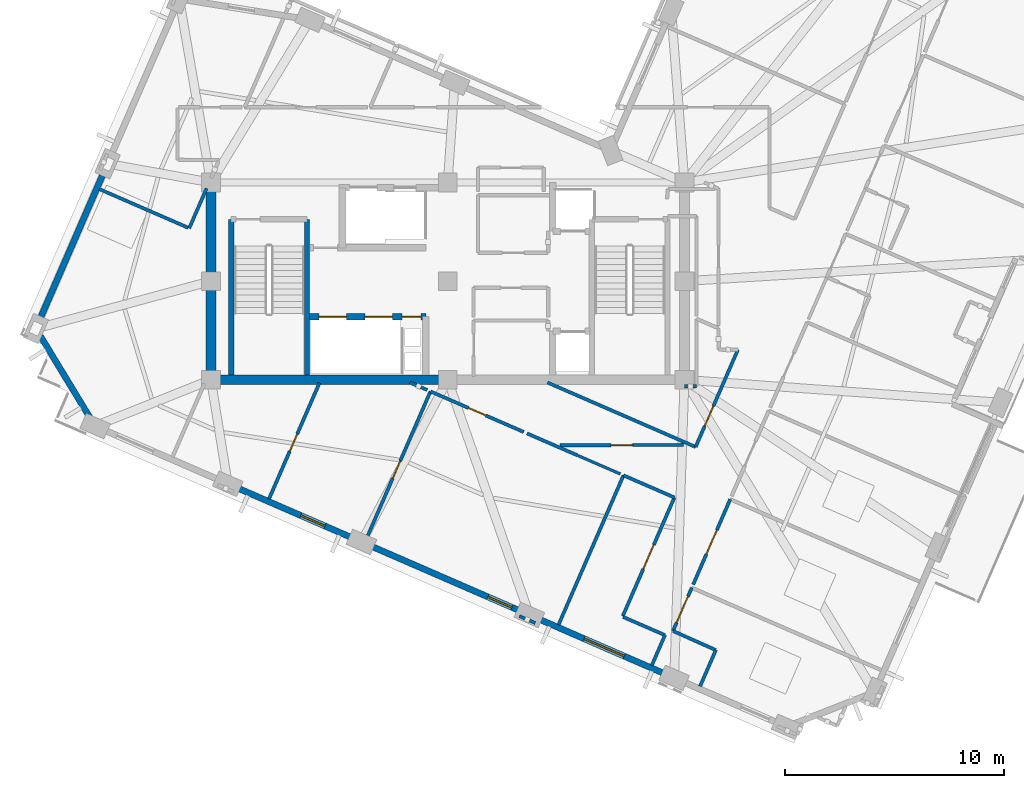
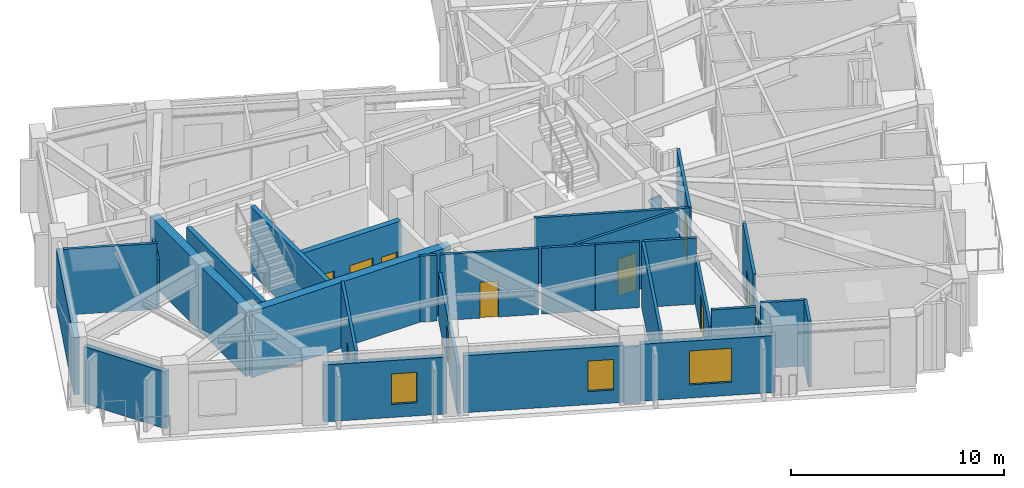
# One storey, part 5 of 12: 32 walls, 11 doors, 3 windows, 14 openings.
"""IFC4 building model written with IfcOpenShell, lengths in metres."""

from ifc_helpers import new_model, si_unit, direction, frame, frame_2d, origin, place, context, subcontext, project, spatial, rectangle, extrude, material, layer, layer_set, type_object, element, fill, save


model = new_model("IFC4")

# Units and contexts
model_context = context("Model", 3, precision=1e-05, world=origin(), true_north=direction((0.0, 1.0)))
body_context = subcontext(model_context, "Body", "Model", "MODEL_VIEW")
ifc_project = project(units=[si_unit("LENGTHUNIT", "METRE"), si_unit("AREAUNIT", "SQUARE_METRE"), si_unit("VOLUMEUNIT", "CUBIC_METRE"), si_unit("PLANEANGLEUNIT", "RADIAN"), si_unit("MASSUNIT", "GRAM", prefix="KILO")], contexts=[model_context])

# Site, building, storey
site_placement = place(None, origin())
site = spatial("IfcSite", under=ifc_project, at=site_placement, CompositionType="ELEMENT")
building_placement = place(site_placement, origin())
building = spatial("IfcBuilding", under=site, at=building_placement, Name="Gaonmaruhae Medical Tower", CompositionType="ELEMENT")
storey_placement = place(building_placement, frame((0.0, 0.0, 320.60009765625)))
storey = spatial("IfcBuildingStorey", under=building, at=storey_placement, Name="L77", CompositionType="ELEMENT", Elevation=320.60009765625)

# Walls
ifc_material_1 = material(Name="Concrete C50/60", Category="concrete")
ifc_layer_1 = layer(ifc_material_1, 0.449951171875)
ifc_layer_set_1 = layer_set([ifc_layer_1], Name="Concrete C50/60")
wall_type_1 = type_object("IfcWallType", Name="CW-450 Upper Core Shear Wall", PredefinedType="SHEAR", material=ifc_layer_set_1)
wall_1_placement = place(storey_placement, frame((14.0, 7.800048828125, 0.0), z_axis=(0.0, 0.0, 1.0), x_axis=(1.0, 0.0, 0.0)))
element("IfcWall", 1, at=wall_1_placement, inside=storey, type_object=wall_type_1, Name="L77 Core Shear Wall CSW-S1", PredefinedType="SHEAR", context=body_context, shape_type="SweptSolid", body=[
    extrude(rectangle(XDim=10.800048828125, YDim=0.449951171875, at=frame_2d((5.39990234375, 0.0))), origin(), (0.0, 0.0, 1.0), 3.77978515625),
])
wall_2_placement = place(storey_placement, frame((14.0, 16.800048828125, 0.0), z_axis=(0.0, 0.0, 1.0), x_axis=(0.0, -1.0, 0.0)))
element("IfcWall", 2, at=wall_2_placement, inside=storey, type_object=wall_type_1, Name="L77 Core Shear Wall CSW-W1", PredefinedType="SHEAR", context=body_context, shape_type="SweptSolid", body=[
    extrude(rectangle(XDim=9.0, YDim=0.449951171875, at=frame_2d((4.5, 0.0))), origin(), (0.0, 0.0, 1.0), 3.77978515625),
])
ifc_material_2 = material(Name="Precast concrete C45/55", Category="concrete")
ifc_layer_2 = layer(ifc_material_2, 0.280029296875)
ifc_layer_set_2 = layer_set([ifc_layer_2], Name="Precast concrete C45/55")
wall_type_2 = type_object("IfcWallType", Name="EW-280 Upper Precast Masonry-Frame Facade Wall", PredefinedType="SOLIDWALL", material=ifc_layer_set_2)
wall_3_placement = place(storey_placement, frame((6.17236328125, 10.498046875, 0.0), z_axis=(0.0, 0.0, 1.0), x_axis=(0.398740578379, 0.917063766133, 0.0)))
element("IfcWall", 3, at=wall_3_placement, inside=storey, type_object=wall_type_2, Name="L77 Precast Masonry-Frame Wall N02-N03", PredefinedType="SOLIDWALL", context=body_context, shape_type="SweptSolid", body=[
    extrude(rectangle(XDim=7.40478515625, YDim=0.280029296875, at=frame_2d((3.702392578125, 0.0))), origin(), (0.0, 0.0, 1.0), 3.264892578125),
])
wall_4_placement = place(storey_placement, frame((8.508544921875, 6.02734375, 0.0), z_axis=(0.0, 0.0, 1.0), x_axis=(-0.51924554751, 0.854625099907, 0.0)))
element("IfcWall", 4, at=wall_4_placement, inside=storey, type_object=wall_type_2, Name="L77 Precast Masonry-Frame Wall N03-W01", PredefinedType="SOLIDWALL", context=body_context, shape_type="SweptSolid", body=[
    extrude(rectangle(XDim=4.406982421875, YDim=0.280029296875, at=frame_2d((2.20361328125, 0.0))), origin(), (0.0, 0.0, 1.0), 3.264892578125),
])

# Wall, opening, window
wall_5_placement = place(storey_placement, frame((20.50146484375, 0.562744140625, 0.0), z_axis=(0.0, 0.0, 1.0), x_axis=(-0.917057460307, 0.39875508084, 0.0)))
wall_5 = element("IfcWall", 5, at=wall_5_placement, inside=storey, type_object=wall_type_2, Name="L77 Precast Masonry-Frame Wall W02-W03", PredefinedType="SOLIDWALL", context=body_context, shape_type="SweptSolid", body=[
    extrude(rectangle(XDim=5.85498046875, YDim=0.280029296875, at=frame_2d((2.927490234375, 0.0))), origin(), (0.0, 0.0, 1.0), 3.264892578125),
])
opening_1_placement = place(wall_5_placement, frame((1.421142578125, 0.0, 0.75)))
opening_1 = element("IfcOpeningElement", 6, at=opening_1_placement, cuts=wall_5, Name="Opening WN-05", PredefinedType="OPENING", context=body_context, shape_type="SweptSolid", body=[
    extrude(rectangle(XDim=1.199951171875, YDim=1.75, at=frame_2d((0.60009765625, 0.875))), frame((0.0, 0.14990234375, 0.0), z_axis=(0.0, -1.0, 0.0), x_axis=(1.0, 0.0, 0.0)), (0.0, 0.0, 1.0), 0.300048828125),
])
ifc_material_3 = material(Name="Anodised aluminium and Low-E double glazing", Category="aluminium")
window_type_1 = type_object("IfcWindowType", Name="WN-05 Support & Staff Punched Window 1200x1750", PartitioningType="SINGLE_PANEL", PredefinedType="WINDOW", material=ifc_material_3)
window_1_placement = place(opening_1_placement, origin())
window_1 = element("IfcWindow", 7, at=window_1_placement, inside=storey, type_object=window_type_1, Name="L77 Modular Facade Window W02", OverallHeight=1.75, OverallWidth=1.199951171875, PartitioningType="SINGLE_PANEL", PredefinedType="WINDOW", context=body_context, shape_type="SweptSolid", body=[
    extrude(rectangle(XDim=1.199951171875, YDim=1.75, at=frame_2d((0.60009765625, 0.875))), frame((0.0, 0.030029296875, 0.0), z_axis=(0.0, -1.0, 0.0), x_axis=(1.0, 0.0, 0.0)), (0.0, 0.0, 1.0), 0.06005859375),
])
fill(opening_1, window_1)

wall_6_placement = place(storey_placement, frame((28.158935546875, -2.766845703125, 0.0), z_axis=(0.0, 0.0, 1.0), x_axis=(-0.917061321999, 0.398746199597, 0.0)))
wall_6 = element("IfcWall", 8, at=wall_6_placement, inside=storey, type_object=wall_type_2, Name="L77 Precast Masonry-Frame Wall W03-W04", PredefinedType="SOLIDWALL", context=body_context, shape_type="SweptSolid", body=[
    extrude(rectangle(XDim=7.5546875, YDim=0.280029296875, at=frame_2d((3.77734375, 0.0))), origin(), (0.0, 0.0, 1.0), 3.264892578125),
])
opening_2_placement = place(wall_6_placement, frame((0.469970703125, 0.0, 0.75)))
opening_2 = element("IfcOpeningElement", 9, at=opening_2_placement, cuts=wall_6, Name="Opening WN-05", PredefinedType="OPENING", context=body_context, shape_type="SweptSolid", body=[
    extrude(rectangle(XDim=1.199951171875, YDim=1.75, at=frame_2d((0.60009765625, 0.875))), frame((0.0, 0.14990234375, 0.0), z_axis=(0.0, -1.0, 0.0), x_axis=(1.0, 0.0, 0.0)), (0.0, 0.0, 1.0), 0.300048828125),
])
window_2_placement = place(opening_2_placement, origin())
window_2 = element("IfcWindow", 10, at=window_2_placement, inside=storey, type_object=window_type_1, Name="L77 Patient Bedroom Window L77-BR05", OverallHeight=1.75, OverallWidth=1.199951171875, PartitioningType="SINGLE_PANEL", PredefinedType="WINDOW", context=body_context, shape_type="SweptSolid", body=[
    extrude(rectangle(XDim=1.199951171875, YDim=1.75, at=frame_2d((0.60009765625, 0.875))), frame((0.0, 0.030029296875, 0.0), z_axis=(0.0, -1.0, 0.0), x_axis=(1.0, 0.0, 0.0)), (0.0, 0.0, 1.0), 0.06005859375),
])
fill(opening_2, window_2)

wall_7_placement = place(storey_placement, frame((34.76171875, -5.6376953125, 0.0), z_axis=(0.0, 0.0, 1.0), x_axis=(-0.917056117272, 0.398758169539, 0.0)))
wall_7 = element("IfcWall", 11, at=wall_7_placement, inside=storey, type_object=wall_type_2, Name="L77 Precast Masonry-Frame Wall W04-W05", PredefinedType="SOLIDWALL", context=body_context, shape_type="SweptSolid", body=[
    extrude(rectangle(XDim=6.40478515625, YDim=0.280029296875, at=frame_2d((3.202392578125, 0.0))), origin(), (0.0, 0.0, 1.0), 3.264892578125),
])
opening_3_placement = place(wall_7_placement, frame((2.08251953125, 0.0, 0.75)))
opening_3 = element("IfcOpeningElement", 12, at=opening_3_placement, cuts=wall_7, Name="Opening WN-02", PredefinedType="OPENING", context=body_context, shape_type="SweptSolid", body=[
    extrude(rectangle(XDim=2.0, YDim=1.949951171875, at=frame_2d((1.0, 0.97509765625))), frame((0.0, 0.14990234375, 0.0), z_axis=(0.0, -1.0, 0.0), x_axis=(1.0, 0.0, 0.0)), (0.0, 0.0, 1.0), 0.300048828125),
])
window_type_2 = type_object("IfcWindowType", Name="WN-02 Double-Bed Ward Punched Window 2000x1950", PartitioningType="SINGLE_PANEL", PredefinedType="WINDOW", material=ifc_material_3)
window_3_placement = place(opening_3_placement, origin())
window_3 = element("IfcWindow", 13, at=window_3_placement, inside=storey, type_object=window_type_2, Name="L77 Modular Facade Window W04", OverallHeight=1.949951171875, OverallWidth=2.0, PartitioningType="SINGLE_PANEL", PredefinedType="WINDOW", context=body_context, shape_type="SweptSolid", body=[
    extrude(rectangle(XDim=2.0, YDim=1.949951171875, at=frame_2d((1.0, 0.97509765625))), frame((0.0, 0.030029296875, 0.0), z_axis=(0.0, -1.0, 0.0), x_axis=(1.0, 0.0, 0.0)), (0.0, 0.0, 1.0), 0.06005859375),
])
fill(opening_3, window_3)

# Walls
ifc_material_4 = material(Name="Gypsum board partition", Category="gypsum")
ifc_layer_3 = layer(ifc_material_4, 0.125)
ifc_layer_set_3 = layer_set([ifc_layer_3], Name="Gypsum board partition")
wall_type_3 = type_object("IfcWallType", Name="PW-125 Ward & En-Suite Acoustic Partition", PredefinedType="PARTITIONING", material=ifc_layer_set_3)
wall_8_placement = place(storey_placement, frame((30.7451171875, 4.341064453125, 0.0), z_axis=(0.0, 0.0, 1.0), x_axis=(0.917094083809, -0.398670843481, 0.0)))
element("IfcWall", 14, at=wall_8_placement, inside=storey, type_object=wall_type_3, Name="L77 Interior Partition L77-ENS05-76", PredefinedType="PARTITIONING", context=body_context, shape_type="SweptSolid", body=[
    extrude(rectangle(XDim=2.099853515625, YDim=0.125, at=frame_2d((1.0498046875, 0.0))), origin(), (0.0, 0.0, 1.0), 3.77978515625),
])
ifc_layer_4 = layer(ifc_material_4, 0.14990234375)
ifc_layer_set_4 = layer_set([ifc_layer_4], Name="Gypsum board partition")
wall_type_4 = type_object("IfcWallType", Name="PW-150 Rated Clinical Corridor Partition", PredefinedType="PARTITIONING", material=ifc_layer_set_4)
wall_9_placement = place(storey_placement, frame((37.029052734375, -4.530029296875, 0.0), z_axis=(0.0, 0.0, 1.0), x_axis=(-0.913189445399, 0.407535319711, 0.0)))
element("IfcWall", 15, at=wall_9_placement, inside=storey, type_object=wall_type_4, Name="L77 Interior Partition L77-BR01-14", PredefinedType="PARTITIONING", context=body_context, shape_type="SweptSolid", body=[
    extrude(rectangle(XDim=2.139892578125, YDim=0.14990234375, at=frame_2d((1.06982421875, 0.0))), origin(), (0.0, 0.0, 1.0), 3.77978515625),
])

# Wall, opening, door
wall_10_placement = place(storey_placement, frame((35.074951171875, -3.657958984375, 0.0), z_axis=(0.0, 0.0, 1.0), x_axis=(0.398726111414, 0.917070056253, 0.0)))
wall_10 = element("IfcWall", 16, at=wall_10_placement, inside=storey, type_object=wall_type_4, Name="L77 Interior Partition L77-BR01-15", PredefinedType="PARTITIONING", context=body_context, shape_type="SweptSolid", body=[
    extrude(rectangle(XDim=2.149169921875, YDim=0.14990234375, at=frame_2d((1.07470703125, 0.0))), origin(), (0.0, 0.0, 1.0), 2.764892578125),
])
opening_4_placement = place(wall_10_placement, frame((0.424560546875, 0.0, 0.0)))
opening_4 = element("IfcOpeningElement", 17, at=opening_4_placement, cuts=wall_10, Name="Opening WD-02", PredefinedType="OPENING", context=body_context, shape_type="SweptSolid", body=[
    extrude(rectangle(XDim=1.300048828125, YDim=2.14990234375, at=frame_2d((0.64990234375, 1.074951171875))), frame((0.0, 0.0849609375, 0.0), z_axis=(0.0, -1.0, 0.0), x_axis=(1.0, 0.0, 0.0)), (0.0, 0.0, 1.0), 0.169921875),
])
ifc_material_5 = material(Name="Antimicrobial laminate timber fire door", Category="wood")
door_type_1 = type_object("IfcDoorType", Name="WD-02 Isolation & ICU Patient Room Door 1300x2150", OperationType="NOTDEFINED", PredefinedType="DOOR", material=ifc_material_5)
door_1_placement = place(opening_4_placement, origin())
door_1 = element("IfcDoor", 18, at=door_1_placement, inside=storey, type_object=door_type_1, Name="L77 Single Isolation Patient Bedroom Door", OperationType="SINGLE_SWING_RIGHT", OverallHeight=2.14990234375, OverallWidth=1.300048828125, PredefinedType="DOOR", context=body_context, shape_type="SweptSolid", body=[
    extrude(rectangle(XDim=1.300048828125, YDim=2.14990234375, at=frame_2d((0.64990234375, 1.074951171875))), frame((0.0, 0.02490234375, 0.0), z_axis=(0.0, -1.0, 0.0), x_axis=(1.0, 0.0, 0.0)), (0.0, 0.0, 1.0), 0.050048828125),
])
fill(opening_4, door_1)

# Wall
wall_11_placement = place(storey_placement, frame((36.30908203125, -6.18505859375, 0.0), z_axis=(0.0, 0.0, 1.0), x_axis=(0.398909114857, 0.916990467826, 0.0)))
element("IfcWall", 19, at=wall_11_placement, inside=storey, type_object=wall_type_4, Name="L77 Interior Partition L77-BR01-23", PredefinedType="PARTITIONING", context=body_context, shape_type="SweptSolid", body=[
    extrude(rectangle(XDim=1.804931640625, YDim=0.14990234375, at=frame_2d((0.90234375, 0.0))), origin(), (0.0, 0.0, 1.0), 3.77978515625),
])

# Wall, opening, door
wall_12_placement = place(storey_placement, frame((35.99609375, -1.5400390625, 0.0), z_axis=(0.0, 0.0, 1.0), x_axis=(0.398633453706, 0.917110336648, 0.0)))
wall_12 = element("IfcWall", 20, at=wall_12_placement, inside=storey, type_object=wall_type_4, Name="L77 Interior Partition L77-SUP01-24", PredefinedType="PARTITIONING", context=body_context, shape_type="SweptSolid", body=[
    extrude(rectangle(XDim=4.2392578125, YDim=0.14990234375, at=frame_2d((2.11962890625, 0.0))), origin(), (0.0, 0.0, 1.0), 3.77978515625),
])
opening_5_placement = place(wall_12_placement, frame((1.519775390625, 0.0, 0.0)))
opening_5 = element("IfcOpeningElement", 21, at=opening_5_placement, cuts=wall_12, Name="Opening CD-02", PredefinedType="OPENING", context=body_context, shape_type="SweptSolid", body=[
    extrude(rectangle(XDim=1.199951171875, YDim=2.14990234375, at=frame_2d((0.60009765625, 1.074951171875))), frame((0.0, 0.0849609375, 0.0), z_axis=(0.0, -1.0, 0.0), x_axis=(1.0, 0.0, 0.0)), (0.0, 0.0, 1.0), 0.169921875),
])
door_type_2 = type_object("IfcDoorType", Name="CD-02 Clinical Treatment & Procedure Door 1200x2150", OperationType="NOTDEFINED", PredefinedType="DOOR", material=ifc_material_5)
door_2_placement = place(opening_5_placement, origin())
door_2 = element("IfcDoor", 22, at=door_2_placement, inside=storey, type_object=door_type_2, Name="L77 Clinical Biomedical Charting Office Door", OperationType="SINGLE_SWING_LEFT", OverallHeight=2.14990234375, OverallWidth=1.199951171875, PredefinedType="DOOR", context=body_context, shape_type="SweptSolid", body=[
    extrude(rectangle(XDim=1.199951171875, YDim=2.14990234375, at=frame_2d((0.60009765625, 1.074951171875))), frame((0.0, 0.02490234375, 0.0), z_axis=(0.0, -1.0, 0.0), x_axis=(1.0, 0.0, 0.0)), (0.0, 0.0, 1.0), 0.050048828125),
])
fill(opening_5, door_2)

# Walls
wall_13_placement = place(storey_placement, frame((32.801025390625, -3.01904296875, 0.0), z_axis=(0.0, 0.0, 1.0), x_axis=(0.917191295076, -0.398447146102, 0.0)))
element("IfcWall", 23, at=wall_13_placement, inside=storey, type_object=wall_type_4, Name="L77 Interior Partition L77-WCL07-66", PredefinedType="PARTITIONING", context=body_context, shape_type="SweptSolid", body=[
    extrude(rectangle(XDim=2.080322265625, YDim=0.14990234375, at=frame_2d((1.0400390625, 0.0))), origin(), (0.0, 0.0, 1.0), 3.77978515625),
])
wall_14_placement = place(storey_placement, frame((34.708984375, -3.847900390625, 0.0), z_axis=(0.0, 0.0, 1.0), x_axis=(-0.398749838991, -0.917059739551, 0.0)))
element("IfcWall", 24, at=wall_14_placement, inside=storey, type_object=wall_type_4, Name="L77 Interior Partition L77-WCL07-67", PredefinedType="PARTITIONING", context=body_context, shape_type="SweptSolid", body=[
    extrude(rectangle(XDim=1.5048828125, YDim=0.14990234375, at=frame_2d((0.75244140625, 0.0))), origin(), (0.0, 0.0, 1.0), 2.764892578125),
])
wall_15_placement = place(storey_placement, frame((29.85302734375, -3.3779296875, 0.0), z_axis=(0.0, 0.0, 1.0), x_axis=(0.398816165707, 0.917030896956, 0.0)))
element("IfcWall", 25, at=wall_15_placement, inside=storey, type_object=wall_type_4, Name="L77 Interior Partition L77-WCL07-68", PredefinedType="PARTITIONING", context=body_context, shape_type="SweptSolid", body=[
    extrude(rectangle(XDim=7.434814453125, YDim=0.14990234375, at=frame_2d((3.71728515625, 0.0))), origin(), (0.0, 0.0, 1.0), 3.77978515625),
])
wall_16_placement = place(storey_placement, frame((32.818115234375, 3.43994140625, 0.0), z_axis=(0.0, 0.0, 1.0), x_axis=(0.917010208472, -0.398863733068, 0.0)))
element("IfcWall", 26, at=wall_16_placement, inside=storey, type_object=wall_type_4, Name="L77 Interior Partition L77-WCL07-69", PredefinedType="PARTITIONING", context=body_context, shape_type="SweptSolid", body=[
    extrude(rectangle(XDim=2.52978515625, YDim=0.14990234375, at=frame_2d((1.264892578125, 0.0))), origin(), (0.0, 0.0, 1.0), 3.77978515625),
])

# Wall, opening, door
wall_17_placement = place(storey_placement, frame((35.137939453125, 2.430908203125, 0.0), z_axis=(0.0, 0.0, 1.0), x_axis=(-0.398810806125, -0.917033227816, 0.0)))
wall_17 = element("IfcWall", 27, at=wall_17_placement, inside=storey, type_object=wall_type_4, Name="L77 Interior Partition L77-WCL07-70", PredefinedType="PARTITIONING", context=body_context, shape_type="SweptSolid", body=[
    extrude(rectangle(XDim=5.902587890625, YDim=0.14990234375, at=frame_2d((2.951171875, 0.0))), origin(), (0.0, 0.0, 1.0), 2.764892578125),
])
opening_6_placement = place(wall_17_placement, frame((2.351318359375, 0.0, 0.0)))
opening_6 = element("IfcOpeningElement", 28, at=opening_6_placement, cuts=wall_17, Name="Opening CD-02", PredefinedType="OPENING", context=body_context, shape_type="SweptSolid", body=[
    extrude(rectangle(XDim=1.199951171875, YDim=2.14990234375, at=frame_2d((0.60009765625, 1.074951171875))), frame((0.0, 0.0849609375, 0.0), z_axis=(0.0, -1.0, 0.0), x_axis=(1.0, 0.0, 0.0)), (0.0, 0.0, 1.0), 0.169921875),
])
door_3_placement = place(opening_6_placement, origin())
door_3 = element("IfcDoor", 29, at=door_3_placement, inside=storey, type_object=door_type_2, Name="L77 Specialist Consultation Office Door", OperationType="SINGLE_SWING_LEFT", OverallHeight=2.14990234375, OverallWidth=1.199951171875, PredefinedType="DOOR", context=body_context, shape_type="SweptSolid", body=[
    extrude(rectangle(XDim=1.199951171875, YDim=2.14990234375, at=frame_2d((0.60009765625, 1.074951171875))), frame((0.0, 0.02490234375, 0.0), z_axis=(0.0, -1.0, 0.0), x_axis=(1.0, 0.0, 0.0)), (0.0, 0.0, 1.0), 0.050048828125),
])
fill(opening_6, door_3)

# Walls
wall_18_placement = place(storey_placement, frame((28.416015625, 5.35400390625, 0.0), z_axis=(0.0, 0.0, 1.0), x_axis=(0.917057734147, -0.398754451062, 0.0)))
element("IfcWall", 30, at=wall_18_placement, inside=storey, type_object=wall_type_4, Name="L77 Interior Partition L77-BR05-71", PredefinedType="PARTITIONING", context=body_context, shape_type="SweptSolid", body=[
    extrude(rectangle(XDim=2.52001953125, YDim=0.14990234375, at=frame_2d((1.260009765625, 0.0))), origin(), (0.0, 0.0, 1.0), 3.77978515625),
])
wall_19_placement = place(storey_placement, frame((28.7958984375, -3.294921875, 0.0), z_axis=(0.0, 0.0, 1.0), x_axis=(-0.91709935105, 0.398658726612, 0.0)))
element("IfcWall", 31, at=wall_19_placement, inside=storey, type_object=wall_type_4, Name="L77 Interior Partition L77-BR05-74", PredefinedType="PARTITIONING", context=body_context, shape_type="SweptSolid", body=[
    extrude(rectangle(XDim=0.794921875, YDim=0.14990234375, at=frame_2d((0.3974609375, 0.0))), origin(), (0.0, 0.0, 1.0), 3.264892578125),
])

# Wall, opening, door
wall_20_placement = place(storey_placement, frame((20.912109375, 0.134033203125, 0.0), z_axis=(0.0, 0.0, 1.0), x_axis=(0.398731849313, 0.917067561493, 0.0)))
wall_20 = element("IfcWall", 32, at=wall_20_placement, inside=storey, type_object=wall_type_4, Name="L77 Interior Partition L77-WOF08-77", PredefinedType="PARTITIONING", context=body_context, shape_type="SweptSolid", body=[
    extrude(rectangle(XDim=7.779296875, YDim=0.14990234375, at=frame_2d((3.8896484375, 0.0))), origin(), (0.0, 0.0, 1.0), 2.764892578125),
])
opening_7_placement = place(wall_20_placement, frame((3.459716796875, 0.0, 0.0)))
opening_7 = element("IfcOpeningElement", 33, at=opening_7_placement, cuts=wall_20, Name="Opening AD-01", PredefinedType="OPENING", context=body_context, shape_type="SweptSolid", body=[
    extrude(rectangle(XDim=0.860107421875, YDim=2.06005859375, at=frame_2d((0.43017578125, 1.030029296875))), frame((0.0, 0.0849609375, 0.0), z_axis=(0.0, -1.0, 0.0), x_axis=(1.0, 0.0, 0.0)), (0.0, 0.0, 1.0), 0.169921875),
])
ifc_material_6 = material(Name="Powder-coated steel access door", Category="steel")
door_type_3 = type_object("IfcDoorType", Name="AD-01 Riser & Closet Access Fire Door 860x2060", OperationType="NOTDEFINED", PredefinedType="DOOR", material=ifc_material_6)
door_4_placement = place(opening_7_placement, origin())
door_4 = element("IfcDoor", 34, at=door_4_placement, inside=storey, type_object=door_type_3, Name="L77 Ward Physician Reporting Office Sliding Door", OperationType="SLIDING_TO_LEFT", OverallHeight=2.06005859375, OverallWidth=0.860107421875, PredefinedType="DOOR", context=body_context, shape_type="SweptSolid", body=[
    extrude(rectangle(XDim=0.860107421875, YDim=2.06005859375, at=frame_2d((0.43017578125, 1.030029296875))), frame((0.0, 0.02490234375, 0.0), z_axis=(0.0, -1.0, 0.0), x_axis=(1.0, 0.0, 0.0)), (0.0, 0.0, 1.0), 0.050048828125),
])
fill(opening_7, door_4)

wall_21_placement = place(storey_placement, frame((24.013916015625, 7.26806640625, 0.0), z_axis=(0.0, 0.0, 1.0), x_axis=(0.91706671013, -0.398733807411, 0.0)))
wall_21 = element("IfcWall", 35, at=wall_21_placement, inside=storey, type_object=wall_type_4, Name="L77 Interior Partition L77-WOF08-78", PredefinedType="PARTITIONING", context=body_context, shape_type="SweptSolid", body=[
    extrude(rectangle(XDim=4.639892578125, YDim=0.14990234375, at=frame_2d((2.31982421875, 0.0))), origin(), (0.0, 0.0, 1.0), 3.77978515625),
])
opening_8_placement = place(wall_21_placement, frame((1.889892578125, 0.0, 0.0)))
opening_8 = element("IfcOpeningElement", 36, at=opening_8_placement, cuts=wall_21, Name="Opening AD-01", PredefinedType="OPENING", context=body_context, shape_type="SweptSolid", body=[
    extrude(rectangle(XDim=0.860107421875, YDim=2.06005859375, at=frame_2d((0.43017578125, 1.030029296875))), frame((0.0, 0.0849609375, 0.0), z_axis=(0.0, -1.0, 0.0), x_axis=(1.0, 0.0, 0.0)), (0.0, 0.0, 1.0), 0.169921875),
])
door_5_placement = place(opening_8_placement, origin())
door_5 = element("IfcDoor", 37, at=door_5_placement, inside=storey, type_object=door_type_3, Name="L77 Ward Physician Reporting Office Sliding Door", OperationType="SLIDING_TO_LEFT", OverallHeight=2.06005859375, OverallWidth=0.860107421875, PredefinedType="DOOR", context=body_context, shape_type="SweptSolid", body=[
    extrude(rectangle(XDim=0.860107421875, YDim=2.06005859375, at=frame_2d((0.43017578125, 1.030029296875))), frame((0.0, 0.02490234375, 0.0), z_axis=(0.0, -1.0, 0.0), x_axis=(1.0, 0.0, 0.0)), (0.0, 0.0, 1.0), 0.050048828125),
])
fill(opening_8, door_5)

wall_22_placement = place(storey_placement, frame((16.64697265625, 2.364013671875, 0.0), z_axis=(0.0, 0.0, 1.0), x_axis=(0.398935045973, 0.916979186838, 0.0)))
wall_22 = element("IfcWall", 38, at=wall_22_placement, inside=storey, type_object=wall_type_4, Name="L77 Interior Partition L77-WOF09-79", PredefinedType="PARTITIONING", context=body_context, shape_type="SweptSolid", body=[
    extrude(rectangle(XDim=5.767822265625, YDim=0.14990234375, at=frame_2d((2.8837890625, 0.0))), origin(), (0.0, 0.0, 1.0), 3.77978515625),
])
opening_9_placement = place(wall_22_placement, frame((2.370361328125, 0.0, 0.0)))
opening_9 = element("IfcOpeningElement", 39, at=opening_9_placement, cuts=wall_22, Name="Opening AD-01", PredefinedType="OPENING", context=body_context, shape_type="SweptSolid", body=[
    extrude(rectangle(XDim=0.860107421875, YDim=2.06005859375, at=frame_2d((0.43017578125, 1.030029296875))), frame((0.0, 0.0849609375, 0.0), z_axis=(0.0, -1.0, 0.0), x_axis=(1.0, 0.0, 0.0)), (0.0, 0.0, 1.0), 0.169921875),
])
door_6_placement = place(opening_9_placement, origin())
door_6 = element("IfcDoor", 40, at=door_6_placement, inside=storey, type_object=door_type_3, Name="L77 Ward Physician Reporting Office Sliding Door", OperationType="SLIDING_TO_LEFT", OverallHeight=2.06005859375, OverallWidth=0.860107421875, PredefinedType="DOOR", context=body_context, shape_type="SweptSolid", body=[
    extrude(rectangle(XDim=0.860107421875, YDim=2.06005859375, at=frame_2d((0.43017578125, 1.030029296875))), frame((0.0, 0.02490234375, 0.0), z_axis=(0.0, -1.0, 0.0), x_axis=(1.0, 0.0, 0.0)), (0.0, 0.0, 1.0), 0.050048828125),
])
fill(opening_9, door_6)

# Wall
wall_23_placement = place(storey_placement, frame((23.0791015625, 7.675048828125, 0.0), z_axis=(0.0, 0.0, 1.0), x_axis=(0.91686666905, -0.399193576082, 0.0)))
element("IfcWall", 41, at=wall_23_placement, inside=storey, type_object=wall_type_4, Name="L77 Interior Partition L77-WOF09-80", PredefinedType="PARTITIONING", context=body_context, shape_type="SweptSolid", body=[
    extrude(rectangle(XDim=0.859375, YDim=0.14990234375, at=frame_2d((0.4296875, 0.0))), origin(), (0.0, 0.0, 1.0), 3.77978515625),
])

# Wall, opening, door
wall_24_placement = place(storey_placement, frame((38.034912109375, 9.169921875, 0.0), z_axis=(0.0, 0.0, 1.0), x_axis=(-0.398764886009, -0.917053196759, 0.0)))
wall_24 = element("IfcWall", 42, at=wall_24_placement, inside=storey, type_object=wall_type_4, Name="L77 Interior Partition L77-IE01-86", PredefinedType="PARTITIONING", context=body_context, shape_type="SweptSolid", body=[
    extrude(rectangle(XDim=4.8349609375, YDim=0.14990234375, at=frame_2d((2.41748046875, 0.0))), origin(), (0.0, 0.0, 1.0), 3.77978515625),
])
opening_10_placement = place(wall_24_placement, frame((2.8017578125, 0.0, 0.0)))
opening_10 = element("IfcOpeningElement", 43, at=opening_10_placement, cuts=wall_24, Name="Opening CD-01", PredefinedType="OPENING", context=body_context, shape_type="SweptSolid", body=[
    extrude(rectangle(XDim=1.0, YDim=2.1201171875, at=frame_2d((0.5, 1.06005859375))), frame((0.0, 0.0849609375, 0.0), z_axis=(0.0, -1.0, 0.0), x_axis=(1.0, 0.0, 0.0)), (0.0, 0.0, 1.0), 0.169921875),
])
door_type_4 = type_object("IfcDoorType", Name="CD-01 Consultation & Physician Office Door 1000x2120", OperationType="NOTDEFINED", PredefinedType="DOOR", material=ifc_material_5)
door_7_placement = place(opening_10_placement, origin())
door_7 = element("IfcDoor", 44, at=door_7_placement, inside=storey, type_object=door_type_4, Name="L77 Central Clinical Nurse Station Door", OperationType="SINGLE_SWING_LEFT", OverallHeight=2.1201171875, OverallWidth=1.0, PredefinedType="DOOR", context=body_context, shape_type="SweptSolid", body=[
    extrude(rectangle(XDim=1.0, YDim=2.1201171875, at=frame_2d((0.5, 1.06005859375))), frame((0.0, 0.02490234375, 0.0), z_axis=(0.0, -1.0, 0.0), x_axis=(1.0, 0.0, 0.0)), (0.0, 0.0, 1.0), 0.050048828125),
])
fill(opening_10, door_7)

# Walls
wall_25_placement = place(storey_placement, frame((36.10693359375, 4.736083984375, 0.0), z_axis=(0.0, 0.0, 1.0), x_axis=(-0.917031075712, 0.398815754676, 0.0)))
element("IfcWall", 45, at=wall_25_placement, inside=storey, type_object=wall_type_4, Name="L77 Interior Partition L77-IE01-87", PredefinedType="PARTITIONING", context=body_context, shape_type="SweptSolid", body=[
    extrude(rectangle(XDim=7.369140625, YDim=0.14990234375, at=frame_2d((3.6845703125, 0.0))), origin(), (0.0, 0.0, 1.0), 3.77978515625),
])
wall_26_placement = place(storey_placement, frame((35.60009765625, 7.5, 0.0), z_axis=(0.0, 0.0, 1.0), x_axis=(1.0, 0.0, 0.0)))
element("IfcWall", 46, at=wall_26_placement, inside=storey, type_object=wall_type_4, Name="L77 Interior Partition L77-IE01-88", PredefinedType="PARTITIONING", context=body_context, shape_type="SweptSolid", body=[
    extrude(rectangle(XDim=0.5498046875, YDim=0.14990234375, at=frame_2d((0.27490234375, 0.0))), origin(), (0.0, 0.0, 1.0), 2.764892578125),
])
wall_27_placement = place(storey_placement, frame((13.800048828125, 16.530029296875, 0.0), z_axis=(0.0, 0.0, 1.0), x_axis=(-0.398942481852, -0.916975951797, 0.0)))
element("IfcWall", 47, at=wall_27_placement, inside=storey, type_object=wall_type_4, Name="L77 Interior Partition L77-IN03-129", PredefinedType="PARTITIONING", context=body_context, shape_type="SweptSolid", body=[
    extrude(rectangle(XDim=1.980224609375, YDim=0.14990234375, at=frame_2d((0.990234375, 0.0))), origin(), (0.0, 0.0, 1.0), 2.764892578125),
])
wall_28_placement = place(storey_placement, frame((12.964111328125, 14.73388671875, 0.0), z_axis=(0.0, 0.0, 1.0), x_axis=(-0.917054263497, 0.398762432786, 0.0)))
element("IfcWall", 48, at=wall_28_placement, inside=storey, type_object=wall_type_4, Name="L77 Interior Partition L77-IN03-130", PredefinedType="PARTITIONING", context=body_context, shape_type="SweptSolid", body=[
    extrude(rectangle(XDim=4.424072265625, YDim=0.14990234375, at=frame_2d((2.2119140625, 0.0))), origin(), (0.0, 0.0, 1.0), 3.77978515625),
])

# Wall, opening, door
wall_29_placement = place(storey_placement, frame((35.55908203125, 4.830078125, 0.0), z_axis=(0.0, 0.0, 1.0), x_axis=(-0.999994878711, -0.003200398799, 0.0)))
wall_29 = element("IfcWall", 49, at=wall_29_placement, inside=storey, type_object=wall_type_4, Name="L77 Interior Partition L77-RM02-137", PredefinedType="PARTITIONING", context=body_context, shape_type="SweptSolid", body=[
    extrude(rectangle(XDim=5.64501953125, YDim=0.14990234375, at=frame_2d((2.822509765625, 0.0))), origin(), (0.0, 0.0, 1.0), 3.77978515625),
])
opening_11_placement = place(wall_29_placement, frame((2.322509765625, 0.0, 0.0)))
opening_11 = element("IfcOpeningElement", 50, at=opening_11_placement, cuts=wall_29, Name="Opening CD-01", PredefinedType="OPENING", context=body_context, shape_type="SweptSolid", body=[
    extrude(rectangle(XDim=1.0, YDim=2.1201171875, at=frame_2d((0.5, 1.06005859375))), frame((0.0, 0.0849609375, 0.0), z_axis=(0.0, -1.0, 0.0), x_axis=(1.0, 0.0, 0.0)), (0.0, 0.0, 1.0), 0.169921875),
])
door_8_placement = place(opening_11_placement, origin())
door_8 = element("IfcDoor", 51, at=door_8_placement, inside=storey, type_object=door_type_4, Name="L77 Care Team Clinical Charting Office Door", OperationType="SINGLE_SWING_LEFT", OverallHeight=2.1201171875, OverallWidth=1.0, PredefinedType="DOOR", context=body_context, shape_type="SweptSolid", body=[
    extrude(rectangle(XDim=1.0, YDim=2.1201171875, at=frame_2d((0.5, 1.06005859375))), frame((0.0, 0.02490234375, 0.0), z_axis=(0.0, -1.0, 0.0), x_axis=(1.0, 0.0, 0.0)), (0.0, 0.0, 1.0), 0.050048828125),
])
fill(opening_11, door_8)

# Walls
ifc_layer_5 = layer(ifc_material_1, 0.239990234375)
ifc_layer_set_5 = layer_set([ifc_layer_5], Name="Concrete C50/60")
wall_type_5 = type_object("IfcWallType", Name="SW-240 Dogleg Stair Tight Shaft Wall", PredefinedType="SOLIDWALL", material=ifc_layer_set_5)
for number, where, z_axis, x_axis, name in (
    (52, (18.3798828125, 15.1201171875, 0.0), (0.0, 0.0, 1.0), (0.0, -1.0, 0.0), "L77 ST-01 Stair Shaft Wall SHW-ST-01-E"),
    (53, (14.919921875, 8.02490234375, 0.0), (0.0, 0.0, 1.0), (0.0, 1.0, 0.0), "L77 ST-01 Stair Shaft Wall SHW-ST-01-W"),
):
    element("IfcWall", number, at=place(storey_placement, frame(where, z_axis=z_axis, x_axis=x_axis)), inside=storey, type_object=wall_type_5, Name=name, PredefinedType="SOLIDWALL", context=body_context, shape_type="SweptSolid", body=[
        extrude(rectangle(XDim=7.09521484375, YDim=0.239990234375, at=frame_2d((3.547607421875, 0.0))), origin(), (0.0, 0.0, 1.0), 3.77978515625),
    ])

# Wall, openings, doors
ifc_layer_6 = layer(ifc_material_1, 0.300048828125)
ifc_layer_set_6 = layer_set([ifc_layer_6], Name="Concrete C50/60")
wall_type_6 = type_object("IfcWallType", Name="SW-300 Stair & Lift Hoistway Shaft Wall", PredefinedType="SOLIDWALL", material=ifc_layer_set_6)
wall_30_placement = place(storey_placement, frame((18.5, 10.679931640625, 0.0), z_axis=(0.0, 0.0, 1.0), x_axis=(1.0, 0.0, 0.0)))
wall_30 = element("IfcWall", 54, at=wall_30_placement, inside=storey, type_object=wall_type_6, Name="L77 Shaft Enclosure Wall SHW-FFN", PredefinedType="SOLIDWALL", context=body_context, shape_type="SweptSolid", body=[
    extrude(rectangle(XDim=5.300048828125, YDim=0.300048828125, at=frame_2d((2.64990234375, 0.0))), origin(), (0.0, 0.0, 1.0), 3.77978515625),
])
opening_12_placement = place(wall_30_placement, frame((4.219970703125, 0.0, 0.0)))
opening_12 = element("IfcOpeningElement", 55, at=opening_12_placement, cuts=wall_30, Name="Opening AD-01", PredefinedType="OPENING", context=body_context, shape_type="SweptSolid", body=[
    extrude(rectangle(XDim=0.860107421875, YDim=2.06005859375, at=frame_2d((0.43017578125, 1.030029296875))), frame((0.0, 0.16015625, 0.0), z_axis=(0.0, -1.0, 0.0), x_axis=(1.0, 0.0, 0.0)), (0.0, 0.0, 1.0), 0.320068359375),
])
opening_13_placement = place(wall_30_placement, frame((0.425048828125, 0.0, 0.0)))
opening_13 = element("IfcOpeningElement", 56, at=opening_13_placement, cuts=wall_30, Name="Opening LD-F1", PredefinedType="OPENING", context=body_context, shape_type="SweptSolid", body=[
    extrude(rectangle(XDim=1.25, YDim=2.179931640625, at=frame_2d((0.625, 1.08984375))), frame((0.0, 0.16015625, 0.0), z_axis=(0.0, -1.0, 0.0), x_axis=(1.0, 0.0, 0.0)), (0.0, 0.0, 1.0), 0.320068359375),
])
opening_14_placement = place(wall_30_placement, frame((2.52490234375, 0.0, 0.0)))
opening_14 = element("IfcOpeningElement", 57, at=opening_14_placement, cuts=wall_30, Name="Opening LD-F1", PredefinedType="OPENING", context=body_context, shape_type="SweptSolid", body=[
    extrude(rectangle(XDim=1.25, YDim=2.179931640625, at=frame_2d((0.625, 1.08984375))), frame((0.0, 0.16015625, 0.0), z_axis=(0.0, -1.0, 0.0), x_axis=(1.0, 0.0, 0.0)), (0.0, 0.0, 1.0), 0.320068359375),
])
door_9_placement = place(opening_12_placement, origin())
door_9 = element("IfcDoor", 58, at=door_9_placement, inside=storey, type_object=door_type_3, Name="L77 Medical Gas and MEP Riser Access Door", OperationType="SINGLE_SWING_RIGHT", OverallHeight=2.06005859375, OverallWidth=0.860107421875, PredefinedType="DOOR", context=body_context, shape_type="SweptSolid", body=[
    extrude(rectangle(XDim=0.860107421875, YDim=2.06005859375, at=frame_2d((0.43017578125, 1.030029296875))), frame((0.0, 0.02490234375, 0.0), z_axis=(0.0, -1.0, 0.0), x_axis=(1.0, 0.0, 0.0)), (0.0, 0.0, 1.0), 0.050048828125),
])
fill(opening_12, door_9)
ifc_material_7 = material(Name="Brushed stainless steel 316L landing door", Category="steel")
door_type_5 = type_object("IfcDoorType", Name="LD-F1 Firefighting & Bed Lift Sliding Landing Door 1250x2180", OperationType="NOTDEFINED", PredefinedType="DOOR", material=ifc_material_7)
door_10_placement = place(opening_13_placement, origin())
door_10 = element("IfcDoor", 59, at=door_10_placement, inside=storey, type_object=door_type_5, Name="L77 Firefighting Lift Landing Door FFL-01", OperationType="DOUBLE_DOOR_SLIDING", OverallHeight=2.179931640625, OverallWidth=1.25, PredefinedType="DOOR", context=body_context, shape_type="SweptSolid", body=[
    extrude(rectangle(XDim=1.25, YDim=2.179931640625, at=frame_2d((0.625, 1.08984375))), frame((0.0, 0.02490234375, 0.0), z_axis=(0.0, -1.0, 0.0), x_axis=(1.0, 0.0, 0.0)), (0.0, 0.0, 1.0), 0.050048828125),
])
fill(opening_13, door_10)
door_11_placement = place(opening_14_placement, origin())
door_11 = element("IfcDoor", 60, at=door_11_placement, inside=storey, type_object=door_type_5, Name="L77 Firefighting Lift Landing Door FFL-02", OperationType="DOUBLE_DOOR_SLIDING", OverallHeight=2.179931640625, OverallWidth=1.25, PredefinedType="DOOR", context=body_context, shape_type="SweptSolid", body=[
    extrude(rectangle(XDim=1.25, YDim=2.179931640625, at=frame_2d((0.625, 1.08984375))), frame((0.0, 0.02490234375, 0.0), z_axis=(0.0, -1.0, 0.0), x_axis=(1.0, 0.0, 0.0)), (0.0, 0.0, 1.0), 0.050048828125),
])
fill(opening_14, door_11)

save(model, "model.ifc")
